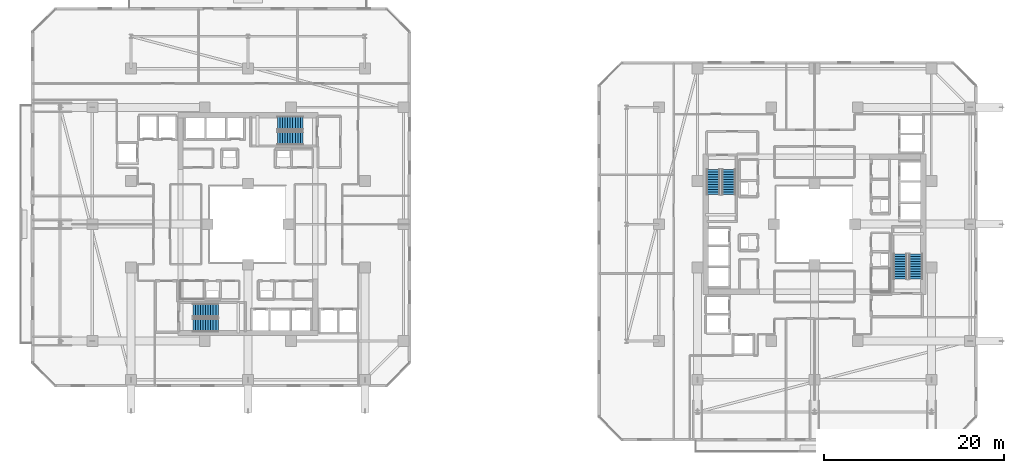
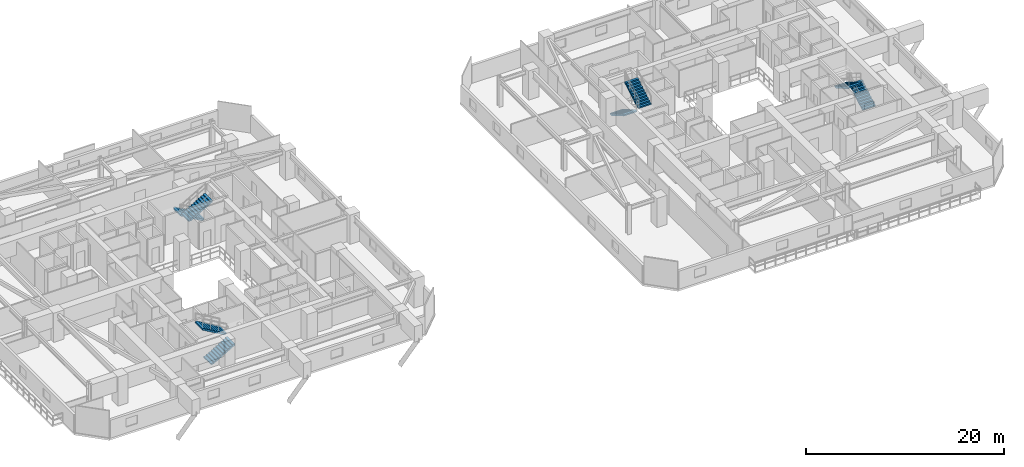
# One storey, part 30 of 36: 8 stair flights, 4 elements without a shape of their own.
"""IFC4 building model written with IfcOpenShell, lengths in metres."""

from ifc_helpers import new_model, si_unit, direction, frame, origin, place, context, subcontext, project, spatial, polyline, outline, extrude, material, type_object, element, aggregate, save


model = new_model("IFC4")

# Units and contexts
model_context = context("Model", 3, precision=1e-05, world=origin(), true_north=direction((0.0, 1.0)))
body_context = subcontext(model_context, "Body", "Model", "MODEL_VIEW")
ifc_project = project(units=[si_unit("LENGTHUNIT", "METRE"), si_unit("AREAUNIT", "SQUARE_METRE"), si_unit("VOLUMEUNIT", "CUBIC_METRE"), si_unit("PLANEANGLEUNIT", "RADIAN"), si_unit("MASSUNIT", "GRAM", prefix="KILO")], contexts=[model_context])

# Site, building, storey
site_placement = place(None, origin())
site = spatial("IfcSite", under=ifc_project, at=site_placement, CompositionType="ELEMENT")
building_placement = place(site_placement, origin())
building = spatial("IfcBuilding", under=site, at=building_placement, Name="Thornwick Lancets Civic Towers", CompositionType="ELEMENT")
storey_placement = place(building_placement, frame((0.0, 0.0, 116.10009765625)))
storey = spatial("IfcBuildingStorey", under=building, at=storey_placement, Name="L30", CompositionType="ELEMENT", Elevation=116.10009765625)

# Stair, stair flights
ifc_material = material(Name="Concrete C40/50", Category="concrete")
stair_type = type_object("IfcStairType", Name="STAIR_DL_3600", PredefinedType="HALF_TURN_STAIR", material=ifc_material)
stair_1_placement = place(storey_placement, origin())
stair_1 = element("IfcStair", 1, at=stair_1_placement, inside=storey, type_object=stair_type, Name="L30 Tower A South Exit Stair ST-A1", PredefinedType="HALF_TURN_STAIR")
stair_flight_type = type_object("IfcStairFlightType", Name="FLIGHT_3600", PredefinedType="STRAIGHT", material=ifc_material)
stair_flight_1_placement = place(storey_placement, frame((19.39990234375, 15.75, 0.0), z_axis=(0.0, 0.0, 1.0), x_axis=(1.0, 0.0, 0.0)))
stair_flight_1 = element("IfcStairFlight", 2, at=stair_flight_1_placement, type_object=stair_flight_type, Name="ST-A1 flight 1", NumberOfRisers=11, NumberOfTreads=10, PredefinedType="STRAIGHT", RiserHeight=0.163636364, TreadLength=0.28, context=body_context, shape_type="SweptSolid", body=[
    extrude(outline(polyline([(0.0, 0.0), (0.0, 0.16357421875), (0.280029296875, 0.16357421875), (0.280029296875, 0.327392578125), (0.56005859375, 0.327392578125), (0.56005859375, 0.490966796875), (0.840087890625, 0.490966796875), (0.840087890625, 0.654541015625), (1.1201171875, 0.654541015625), (1.1201171875, 0.818115234375), (1.39990234375, 0.818115234375), (1.39990234375, 0.98193359375), (1.679931640625, 0.98193359375), (1.679931640625, 1.1455078125), (1.9599609375, 1.1455078125), (1.9599609375, 1.30908203125), (2.239990234375, 1.30908203125), (2.239990234375, 1.47265625), (2.52001953125, 1.47265625), (2.52001953125, 1.636474609375), (2.800048828125, 1.636474609375), (2.800048828125, 1.800048828125), (2.800048828125, 1.462646484375), (0.297119140625, 0.0), (0.0, 0.0)])), frame((0.0, 0.75, 0.0), z_axis=(0.0, -1.0, 0.0), x_axis=(1.0, 0.0, 0.0)), (0.0, 0.0, 1.0), 1.5),
])
stair_flight_2_placement = place(storey_placement, frame((22.199951171875, 17.449951171875, 1.7998046875), z_axis=(0.0, 0.0, 1.0), x_axis=(-1.0, 0.0, 0.0)))
stair_flight_2 = element("IfcStairFlight", 3, at=stair_flight_2_placement, type_object=stair_flight_type, Name="ST-A1 flight 2", NumberOfRisers=11, NumberOfTreads=10, PredefinedType="STRAIGHT", RiserHeight=0.163636364, TreadLength=0.28, context=body_context, shape_type="SweptSolid", body=[
    extrude(outline(polyline([(0.0, 0.0), (0.0, 0.16357421875), (0.280029296875, 0.16357421875), (0.280029296875, 0.327392578125), (0.56005859375, 0.327392578125), (0.56005859375, 0.490966796875), (0.840087890625, 0.490966796875), (0.840087890625, 0.654541015625), (1.1201171875, 0.654541015625), (1.1201171875, 0.818115234375), (1.39990234375, 0.818115234375), (1.39990234375, 0.98193359375), (1.679931640625, 0.98193359375), (1.679931640625, 1.1455078125), (1.9599609375, 1.1455078125), (1.9599609375, 1.30908203125), (2.239990234375, 1.30908203125), (2.239990234375, 1.47265625), (2.52001953125, 1.47265625), (2.52001953125, 1.636474609375), (2.800048828125, 1.636474609375), (2.800048828125, 1.800048828125), (2.800048828125, 1.462646484375), (0.297119140625, 0.0), (0.0, 0.0)])), frame((0.0, 0.75, 0.0), z_axis=(0.0, -1.0, 0.0), x_axis=(1.0, 0.0, 0.0)), (0.0, 0.0, 1.0), 1.5),
])
aggregate(stair_1, [stair_flight_1, stair_flight_2])

stair_2_placement = place(storey_placement, origin())
stair_2 = element("IfcStair", 4, at=stair_2_placement, inside=storey, type_object=stair_type, Name="L30 Tower A North Exit Stair ST-A2", PredefinedType="HALF_TURN_STAIR")
stair_flight_3_placement = place(storey_placement, frame((31.60009765625, 38.25, 0.0), z_axis=(0.0, 0.0, 1.0), x_axis=(-1.0, 0.0, 0.0)))
stair_flight_3 = element("IfcStairFlight", 5, at=stair_flight_3_placement, type_object=stair_flight_type, Name="ST-A2 flight 1", NumberOfRisers=11, NumberOfTreads=10, PredefinedType="STRAIGHT", RiserHeight=0.163636364, TreadLength=0.28, context=body_context, shape_type="SweptSolid", body=[
    extrude(outline(polyline([(0.0, 0.0), (0.0, 0.16357421875), (0.280029296875, 0.16357421875), (0.280029296875, 0.327392578125), (0.56005859375, 0.327392578125), (0.56005859375, 0.490966796875), (0.840087890625, 0.490966796875), (0.840087890625, 0.654541015625), (1.1201171875, 0.654541015625), (1.1201171875, 0.818115234375), (1.39990234375, 0.818115234375), (1.39990234375, 0.98193359375), (1.679931640625, 0.98193359375), (1.679931640625, 1.1455078125), (1.9599609375, 1.1455078125), (1.9599609375, 1.30908203125), (2.239990234375, 1.30908203125), (2.239990234375, 1.47265625), (2.52001953125, 1.47265625), (2.52001953125, 1.636474609375), (2.800048828125, 1.636474609375), (2.800048828125, 1.800048828125), (2.800048828125, 1.462646484375), (0.297119140625, 0.0), (0.0, 0.0)])), frame((0.0, 0.75, 0.0), z_axis=(0.0, -1.0, 0.0), x_axis=(1.0, 0.0, 0.0)), (0.0, 0.0, 1.0), 1.5),
])
stair_flight_4_placement = place(storey_placement, frame((28.800048828125, 36.550048828125, 1.7998046875), z_axis=(0.0, 0.0, 1.0), x_axis=(1.0, 0.0, 0.0)))
stair_flight_4 = element("IfcStairFlight", 6, at=stair_flight_4_placement, type_object=stair_flight_type, Name="ST-A2 flight 2", NumberOfRisers=11, NumberOfTreads=10, PredefinedType="STRAIGHT", RiserHeight=0.163636364, TreadLength=0.28, context=body_context, shape_type="SweptSolid", body=[
    extrude(outline(polyline([(0.0, 0.0), (0.0, 0.16357421875), (0.280029296875, 0.16357421875), (0.280029296875, 0.327392578125), (0.56005859375, 0.327392578125), (0.56005859375, 0.490966796875), (0.840087890625, 0.490966796875), (0.840087890625, 0.654541015625), (1.1201171875, 0.654541015625), (1.1201171875, 0.818115234375), (1.39990234375, 0.818115234375), (1.39990234375, 0.98193359375), (1.679931640625, 0.98193359375), (1.679931640625, 1.1455078125), (1.9599609375, 1.1455078125), (1.9599609375, 1.30908203125), (2.239990234375, 1.30908203125), (2.239990234375, 1.47265625), (2.52001953125, 1.47265625), (2.52001953125, 1.636474609375), (2.800048828125, 1.636474609375), (2.800048828125, 1.800048828125), (2.800048828125, 1.462646484375), (0.297119140625, 0.0), (0.0, 0.0)])), frame((0.0, 0.75, 0.0), z_axis=(0.0, -1.0, 0.0), x_axis=(1.0, 0.0, 0.0)), (0.0, 0.0, 1.0), 1.5),
])
aggregate(stair_2, [stair_flight_3, stair_flight_4])

stair_3_placement = place(storey_placement, origin())
stair_3 = element("IfcStair", 7, at=stair_3_placement, inside=storey, type_object=stair_type, Name="L30 Tower B East Exit Stair ST-B1", PredefinedType="HALF_TURN_STAIR")
stair_flight_5_placement = place(storey_placement, frame((99.75, 20.89990234375, 0.0), z_axis=(0.0, 0.0, 1.0), x_axis=(0.0, 1.0, 0.0)))
stair_flight_5 = element("IfcStairFlight", 8, at=stair_flight_5_placement, type_object=stair_flight_type, Name="ST-B1 flight 1", NumberOfRisers=11, NumberOfTreads=10, PredefinedType="STRAIGHT", RiserHeight=0.163636364, TreadLength=0.28, context=body_context, shape_type="SweptSolid", body=[
    extrude(outline(polyline([(0.0, 0.0), (0.0, 0.16357421875), (0.280029296875, 0.16357421875), (0.280029296875, 0.327392578125), (0.56005859375, 0.327392578125), (0.56005859375, 0.490966796875), (0.840087890625, 0.490966796875), (0.840087890625, 0.654541015625), (1.1201171875, 0.654541015625), (1.1201171875, 0.818115234375), (1.39990234375, 0.818115234375), (1.39990234375, 0.98193359375), (1.679931640625, 0.98193359375), (1.679931640625, 1.1455078125), (1.9599609375, 1.1455078125), (1.9599609375, 1.30908203125), (2.239990234375, 1.30908203125), (2.239990234375, 1.47265625), (2.52001953125, 1.47265625), (2.52001953125, 1.636474609375), (2.800048828125, 1.636474609375), (2.800048828125, 1.800048828125), (2.800048828125, 1.462646484375), (0.297119140625, 0.0), (0.0, 0.0)])), frame((0.0, 0.75, 0.0), z_axis=(0.0, -1.0, 0.0), x_axis=(1.0, 0.0, 0.0)), (0.0, 0.0, 1.0), 1.5),
])
stair_flight_6_placement = place(storey_placement, frame((98.050048828125, 23.699951171875, 1.7998046875), z_axis=(0.0, 0.0, 1.0), x_axis=(0.0, -1.0, 0.0)))
stair_flight_6 = element("IfcStairFlight", 9, at=stair_flight_6_placement, type_object=stair_flight_type, Name="ST-B1 flight 2", NumberOfRisers=11, NumberOfTreads=10, PredefinedType="STRAIGHT", RiserHeight=0.163636364, TreadLength=0.28, context=body_context, shape_type="SweptSolid", body=[
    extrude(outline(polyline([(0.0, 0.0), (0.0, 0.16357421875), (0.280029296875, 0.16357421875), (0.280029296875, 0.327392578125), (0.56005859375, 0.327392578125), (0.56005859375, 0.490966796875), (0.840087890625, 0.490966796875), (0.840087890625, 0.654541015625), (1.1201171875, 0.654541015625), (1.1201171875, 0.818115234375), (1.39990234375, 0.818115234375), (1.39990234375, 0.98193359375), (1.679931640625, 0.98193359375), (1.679931640625, 1.1455078125), (1.9599609375, 1.1455078125), (1.9599609375, 1.30908203125), (2.239990234375, 1.30908203125), (2.239990234375, 1.47265625), (2.52001953125, 1.47265625), (2.52001953125, 1.636474609375), (2.800048828125, 1.636474609375), (2.800048828125, 1.800048828125), (2.800048828125, 1.462646484375), (0.297119140625, 0.0), (0.0, 0.0)])), frame((0.0, 0.75, 0.0), z_axis=(0.0, -1.0, 0.0), x_axis=(1.0, 0.0, 0.0)), (0.0, 0.0, 1.0), 1.5),
])
aggregate(stair_3, [stair_flight_5, stair_flight_6])

stair_4_placement = place(storey_placement, origin())
stair_4 = element("IfcStair", 10, at=stair_4_placement, inside=storey, type_object=stair_type, Name="L30 Tower B West Exit Stair ST-B2", PredefinedType="HALF_TURN_STAIR")
stair_flight_7_placement = place(storey_placement, frame((77.25, 33.10009765625, 0.0), z_axis=(0.0, 0.0, 1.0), x_axis=(0.0, -1.0, 0.0)))
stair_flight_7 = element("IfcStairFlight", 11, at=stair_flight_7_placement, type_object=stair_flight_type, Name="ST-B2 flight 1", NumberOfRisers=11, NumberOfTreads=10, PredefinedType="STRAIGHT", RiserHeight=0.163636364, TreadLength=0.28, context=body_context, shape_type="SweptSolid", body=[
    extrude(outline(polyline([(0.0, 0.0), (0.0, 0.16357421875), (0.280029296875, 0.16357421875), (0.280029296875, 0.327392578125), (0.56005859375, 0.327392578125), (0.56005859375, 0.490966796875), (0.840087890625, 0.490966796875), (0.840087890625, 0.654541015625), (1.1201171875, 0.654541015625), (1.1201171875, 0.818115234375), (1.39990234375, 0.818115234375), (1.39990234375, 0.98193359375), (1.679931640625, 0.98193359375), (1.679931640625, 1.1455078125), (1.9599609375, 1.1455078125), (1.9599609375, 1.30908203125), (2.239990234375, 1.30908203125), (2.239990234375, 1.47265625), (2.52001953125, 1.47265625), (2.52001953125, 1.636474609375), (2.800048828125, 1.636474609375), (2.800048828125, 1.800048828125), (2.800048828125, 1.462646484375), (0.297119140625, 0.0), (0.0, 0.0)])), frame((0.0, 0.75, 0.0), z_axis=(0.0, -1.0, 0.0), x_axis=(1.0, 0.0, 0.0)), (0.0, 0.0, 1.0), 1.5),
])
stair_flight_8_placement = place(storey_placement, frame((78.949951171875, 30.300048828125, 1.7998046875), z_axis=(0.0, 0.0, 1.0), x_axis=(0.0, 1.0, 0.0)))
stair_flight_8 = element("IfcStairFlight", 12, at=stair_flight_8_placement, type_object=stair_flight_type, Name="ST-B2 flight 2", NumberOfRisers=11, NumberOfTreads=10, PredefinedType="STRAIGHT", RiserHeight=0.163636364, TreadLength=0.28, context=body_context, shape_type="SweptSolid", body=[
    extrude(outline(polyline([(0.0, 0.0), (0.0, 0.16357421875), (0.280029296875, 0.16357421875), (0.280029296875, 0.327392578125), (0.56005859375, 0.327392578125), (0.56005859375, 0.490966796875), (0.840087890625, 0.490966796875), (0.840087890625, 0.654541015625), (1.1201171875, 0.654541015625), (1.1201171875, 0.818115234375), (1.39990234375, 0.818115234375), (1.39990234375, 0.98193359375), (1.679931640625, 0.98193359375), (1.679931640625, 1.1455078125), (1.9599609375, 1.1455078125), (1.9599609375, 1.30908203125), (2.239990234375, 1.30908203125), (2.239990234375, 1.47265625), (2.52001953125, 1.47265625), (2.52001953125, 1.636474609375), (2.800048828125, 1.636474609375), (2.800048828125, 1.800048828125), (2.800048828125, 1.462646484375), (0.297119140625, 0.0), (0.0, 0.0)])), frame((0.0, 0.75, 0.0), z_axis=(0.0, -1.0, 0.0), x_axis=(1.0, 0.0, 0.0)), (0.0, 0.0, 1.0), 1.5),
])
aggregate(stair_4, [stair_flight_7, stair_flight_8])

save(model, "model.ifc")
